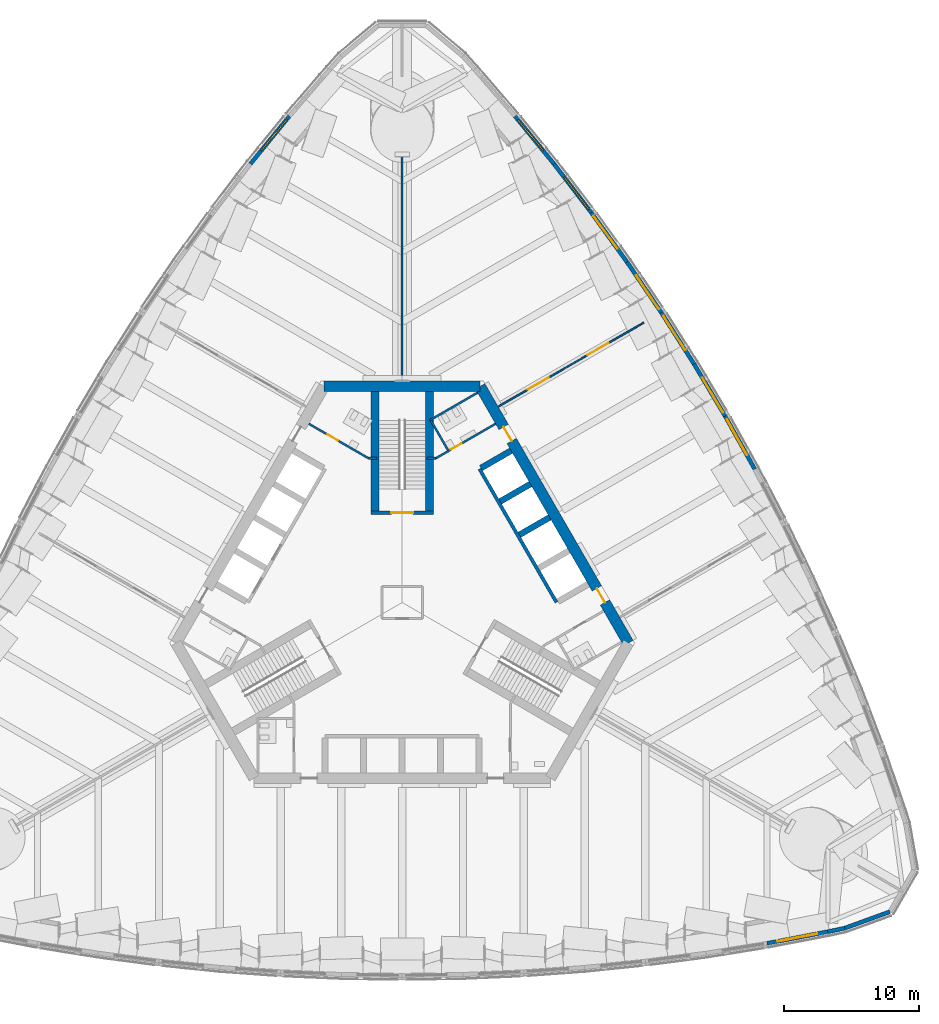
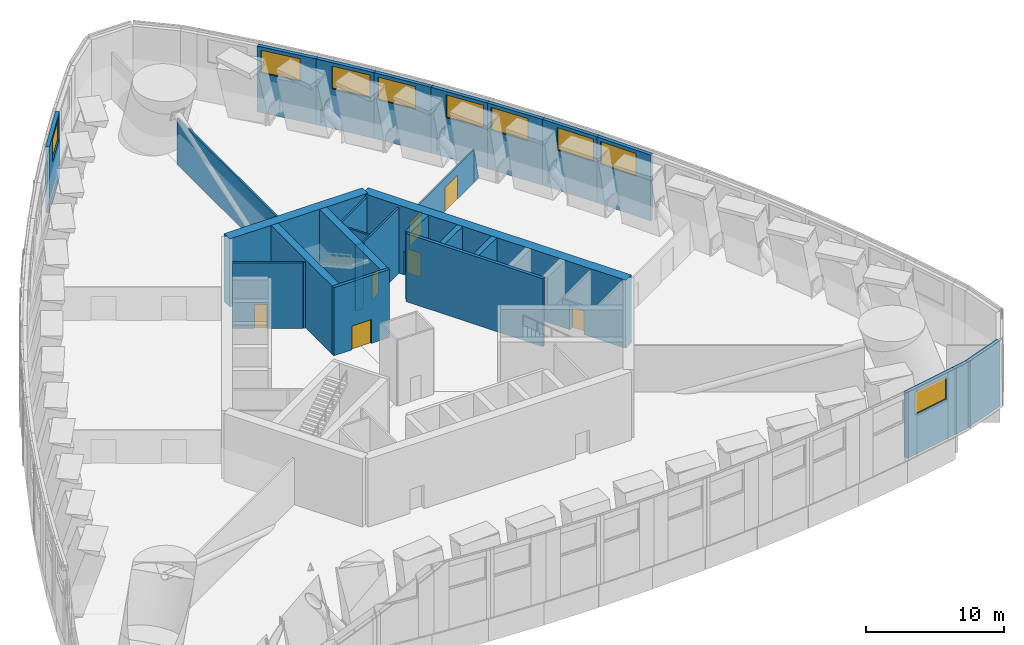
# One storey, part 10 of 28: 29 walls, 9 windows, 7 doors, 16 openings.
"""IFC4 building model written with IfcOpenShell, lengths in metres."""

from ifc_helpers import new_model, si_unit, direction, frame, frame_2d, origin, place, context, subcontext, project, spatial, polyline, rectangle, outline, extrude, material, layer, layer_set, type_object, element, fill, save


model = new_model("IFC4")

# Units and contexts
model_context = context("Model", 3, precision=1e-05, world=origin(), true_north=direction((0.0, 1.0)))
body_context = subcontext(model_context, "Body", "Model", "MODEL_VIEW")
ifc_project = project(units=[si_unit("LENGTHUNIT", "METRE"), si_unit("AREAUNIT", "SQUARE_METRE"), si_unit("VOLUMEUNIT", "CUBIC_METRE"), si_unit("PLANEANGLEUNIT", "RADIAN"), si_unit("MASSUNIT", "GRAM", prefix="KILO")], contexts=[model_context])

# Site, building, storey
site_placement = place(None, origin())
site = spatial("IfcSite", under=ifc_project, at=site_placement, CompositionType="ELEMENT")
building_placement = place(site_placement, origin())
building = spatial("IfcBuilding", under=site, at=building_placement, Name="Trefoil Bronze Tower", CompositionType="ELEMENT")
storey_placement = place(building_placement, frame((0.0, 0.0, 92.10009765625)))
storey = spatial("IfcBuildingStorey", under=building, at=storey_placement, Name="L21", CompositionType="ELEMENT", Elevation=92.10009765625)

# Wall, opening, window
ifc_material_1 = material(Name="Concrete B80", Category="concrete")
ifc_layer_1 = layer(ifc_material_1, 0.300048828125)
ifc_layer_set_1 = layer_set([ifc_layer_1], Name="Belt wall 300")
wall_type_1 = type_object("IfcWallType", Name="Belt wall 300", PredefinedType="SOLIDWALL", material=ifc_layer_set_1)
wall_1_placement = place(storey_placement, frame((27.0, -25.23046875, 0.0), z_axis=(0.0, 0.0, 1.0), x_axis=(0.982042151555, 0.188661635127, 0.0)))
wall_1 = element("IfcWall", 1, at=wall_1_placement, inside=storey, type_object=wall_type_1, Name="Belt wall T1.15", PredefinedType="SOLIDWALL", context=body_context, shape_type="SweptSolid", body=[
    extrude(rectangle(XDim=4.582275390625, YDim=0.300048828125, at=frame_2d((2.291015625, 0.0))), origin(), (0.0, 0.0, 1.0), 5.7998046875),
])
opening_1_placement = place(wall_1_placement, frame((0.791015625, 0.0, 3.5)))
opening_1 = element("IfcOpeningElement", 2, at=opening_1_placement, cuts=wall_1, Name="Opening LV1", PredefinedType="OPENING", context=body_context, shape_type="SweptSolid", body=[
    extrude(rectangle(XDim=3.0, YDim=2.0, at=frame_2d((1.5, 1.0))), frame((0.0, 0.159912109375, 0.0), z_axis=(0.0, -1.0, 0.0), x_axis=(1.0, 0.0, 0.0)), (0.0, 0.0, 1.0), 0.320068359375),
])
ifc_material_2 = material(Name="Bronze-finish aluminium louvre", Category="aluminium")
window_type = type_object("IfcWindowType", Name="Plant louvre 3000", PartitioningType="SINGLE_PANEL", PredefinedType="USERDEFINED", material=ifc_material_2)
window_1_placement = place(opening_1_placement, origin())
window_1 = element("IfcWindow", 3, at=window_1_placement, inside=storey, type_object=window_type, Name="Plant louvre L21 F1.15.1", ObjectType="LOUVRE", OverallHeight=2.0, OverallWidth=3.0, PartitioningType="SINGLE_PANEL", PredefinedType="USERDEFINED", context=body_context, shape_type="SweptSolid", body=[
    extrude(rectangle(XDim=3.0, YDim=2.0, at=frame_2d((1.5, 1.0))), frame((0.0, 0.030029296875, 0.0), z_axis=(0.0, -1.0, 0.0), x_axis=(1.0, 0.0, 0.0)), (0.0, 0.0, 1.0), 0.06005859375),
])
fill(opening_1, window_1)

# Walls
wall_2_placement = place(storey_placement, frame((31.5, -24.365966796875, 0.0), z_axis=(0.0, 0.0, 1.0), x_axis=(0.978306217861, 0.207164051162, 0.0)))
element("IfcWall", 4, at=wall_2_placement, inside=storey, type_object=wall_type_1, Name="Belt wall T1.16", PredefinedType="SOLIDWALL", context=body_context, shape_type="SweptSolid", body=[
    extrude(rectangle(XDim=1.29052734375, YDim=0.300048828125, at=frame_2d((0.645263671875, 0.0))), origin(), (0.0, 0.0, 1.0), 5.7998046875),
])
wall_3_placement = place(storey_placement, frame((32.762451171875, -24.0986328125, 0.0), z_axis=(0.0, 0.0, 1.0), x_axis=(0.939694873342, 0.342013954414, 0.0)))
element("IfcWall", 5, at=wall_3_placement, inside=storey, type_object=wall_type_1, Name="Belt wall T1.17", PredefinedType="SOLIDWALL", context=body_context, shape_type="SweptSolid", body=[
    extrude(rectangle(XDim=3.545654296875, YDim=0.300048828125, at=frame_2d((1.77294921875, 0.0))), origin(), (0.0, 0.0, 1.0), 5.7998046875),
])

# Wall, opening, window
wall_4_placement = place(storey_placement, frame((26.0947265625, 9.86962890625, 0.0), z_axis=(0.0, 0.0, 1.0), x_axis=(-0.487415216275, 0.87317031955, 0.0)))
wall_4 = element("IfcWall", 6, at=wall_4_placement, inside=storey, type_object=wall_type_1, Name="Belt wall T1.27", PredefinedType="SOLIDWALL", context=body_context, shape_type="SweptSolid", body=[
    extrude(rectangle(XDim=4.50048828125, YDim=0.300048828125, at=frame_2d((2.250244140625, 0.0))), origin(), (0.0, 0.0, 1.0), 5.7998046875),
])
opening_2_placement = place(wall_4_placement, frame((1.200439453125, 0.0, 3.5)))
opening_2 = element("IfcOpeningElement", 7, at=opening_2_placement, cuts=wall_4, Name="Opening LV1", PredefinedType="OPENING", context=body_context, shape_type="SweptSolid", body=[
    extrude(rectangle(XDim=3.0, YDim=2.0, at=frame_2d((1.5, 1.0))), frame((0.0, 0.159912109375, 0.0), z_axis=(0.0, -1.0, 0.0), x_axis=(1.0, 0.0, 0.0)), (0.0, 0.0, 1.0), 0.320068359375),
])
window_2_placement = place(opening_2_placement, origin())
window_2 = element("IfcWindow", 8, at=window_2_placement, inside=storey, type_object=window_type, Name="Plant louvre L21 F2.8.1", ObjectType="LOUVRE", OverallHeight=2.0, OverallWidth=3.0, PartitioningType="SINGLE_PANEL", PredefinedType="USERDEFINED", context=body_context, shape_type="SweptSolid", body=[
    extrude(rectangle(XDim=3.0, YDim=2.0, at=frame_2d((1.5, 1.0))), frame((0.0, 0.030029296875, 0.0), z_axis=(0.0, -1.0, 0.0), x_axis=(1.0, 0.0, 0.0)), (0.0, 0.0, 1.0), 0.06005859375),
])
fill(opening_2, window_2)

wall_5_placement = place(storey_placement, frame((23.901123046875, 13.79931640625, 0.0), z_axis=(0.0, 0.0, 1.0), x_axis=(-0.512483962191, 0.858696796604, 0.0)))
wall_5 = element("IfcWall", 9, at=wall_5_placement, inside=storey, type_object=wall_type_1, Name="Belt wall T1.28", PredefinedType="SOLIDWALL", context=body_context, shape_type="SweptSolid", body=[
    extrude(rectangle(XDim=4.50048828125, YDim=0.300048828125, at=frame_2d((2.250244140625, 0.0))), origin(), (0.0, 0.0, 1.0), 5.7998046875),
])
opening_3_placement = place(wall_5_placement, frame((0.300048828125, 0.0, 3.5)))
opening_3 = element("IfcOpeningElement", 10, at=opening_3_placement, cuts=wall_5, Name="Opening LV1", PredefinedType="OPENING", context=body_context, shape_type="SweptSolid", body=[
    extrude(rectangle(XDim=3.0, YDim=2.0, at=frame_2d((1.5, 1.0))), frame((0.0, 0.159912109375, 0.0), z_axis=(0.0, -1.0, 0.0), x_axis=(1.0, 0.0, 0.0)), (0.0, 0.0, 1.0), 0.320068359375),
])
window_3_placement = place(opening_3_placement, origin())
window_3 = element("IfcWindow", 11, at=window_3_placement, inside=storey, type_object=window_type, Name="Plant louvre L21 F2.9.1", ObjectType="LOUVRE", OverallHeight=2.0, OverallWidth=3.0, PartitioningType="SINGLE_PANEL", PredefinedType="USERDEFINED", context=body_context, shape_type="SweptSolid", body=[
    extrude(rectangle(XDim=3.0, YDim=2.0, at=frame_2d((1.5, 1.0))), frame((0.0, 0.030029296875, 0.0), z_axis=(0.0, -1.0, 0.0), x_axis=(1.0, 0.0, 0.0)), (0.0, 0.0, 1.0), 0.06005859375),
])
fill(opening_3, window_3)

wall_6_placement = place(storey_placement, frame((21.5947265625, 17.663818359375, 0.0), z_axis=(0.0, 0.0, 1.0), x_axis=(-0.537243691336, 0.843427066272, 0.0)))
wall_6 = element("IfcWall", 12, at=wall_6_placement, inside=storey, type_object=wall_type_1, Name="Belt wall T1.29", PredefinedType="SOLIDWALL", context=body_context, shape_type="SweptSolid", body=[
    extrude(rectangle(XDim=4.50439453125, YDim=0.300048828125, at=frame_2d((2.252197265625, 0.0))), origin(), (0.0, 0.0, 1.0), 5.7998046875),
])
opening_4_placement = place(wall_6_placement, frame((1.204345703125, 0.0, 3.5)))
opening_4 = element("IfcOpeningElement", 13, at=opening_4_placement, cuts=wall_6, Name="Opening LV1", PredefinedType="OPENING", context=body_context, shape_type="SweptSolid", body=[
    extrude(rectangle(XDim=3.0, YDim=2.0, at=frame_2d((1.5, 1.0))), frame((0.0, 0.159912109375, 0.0), z_axis=(0.0, -1.0, 0.0), x_axis=(1.0, 0.0, 0.0)), (0.0, 0.0, 1.0), 0.320068359375),
])
window_4_placement = place(opening_4_placement, origin())
window_4 = element("IfcWindow", 14, at=window_4_placement, inside=storey, type_object=window_type, Name="Plant louvre L21 F2.10.1", ObjectType="LOUVRE", OverallHeight=2.0, OverallWidth=3.0, PartitioningType="SINGLE_PANEL", PredefinedType="USERDEFINED", context=body_context, shape_type="SweptSolid", body=[
    extrude(rectangle(XDim=3.0, YDim=2.0, at=frame_2d((1.5, 1.0))), frame((0.0, 0.030029296875, 0.0), z_axis=(0.0, -1.0, 0.0), x_axis=(1.0, 0.0, 0.0)), (0.0, 0.0, 1.0), 0.06005859375),
])
fill(opening_4, window_4)

wall_7_placement = place(storey_placement, frame((19.1748046875, 21.462890625, 0.0), z_axis=(0.0, 0.0, 1.0), x_axis=(-0.561512004239, 0.827468591002, 0.0)))
wall_7 = element("IfcWall", 15, at=wall_7_placement, inside=storey, type_object=wall_type_1, Name="Belt wall T1.30", PredefinedType="SOLIDWALL", context=body_context, shape_type="SweptSolid", body=[
    extrude(rectangle(XDim=4.51171875, YDim=0.300048828125, at=frame_2d((2.255859375, 0.0))), origin(), (0.0, 0.0, 1.0), 5.7998046875),
])
opening_5_placement = place(wall_7_placement, frame((0.300048828125, 0.0, 3.5)))
opening_5 = element("IfcOpeningElement", 16, at=opening_5_placement, cuts=wall_7, Name="Opening LV1", PredefinedType="OPENING", context=body_context, shape_type="SweptSolid", body=[
    extrude(rectangle(XDim=3.0, YDim=2.0, at=frame_2d((1.5, 1.0))), frame((0.0, 0.159912109375, 0.0), z_axis=(0.0, -1.0, 0.0), x_axis=(1.0, 0.0, 0.0)), (0.0, 0.0, 1.0), 0.320068359375),
])
window_5_placement = place(opening_5_placement, origin())
window_5 = element("IfcWindow", 17, at=window_5_placement, inside=storey, type_object=window_type, Name="Plant louvre L21 F2.11.1", ObjectType="LOUVRE", OverallHeight=2.0, OverallWidth=3.0, PartitioningType="SINGLE_PANEL", PredefinedType="USERDEFINED", context=body_context, shape_type="SweptSolid", body=[
    extrude(rectangle(XDim=3.0, YDim=2.0, at=frame_2d((1.5, 1.0))), frame((0.0, 0.030029296875, 0.0), z_axis=(0.0, -1.0, 0.0), x_axis=(1.0, 0.0, 0.0)), (0.0, 0.0, 1.0), 0.06005859375),
])
fill(opening_5, window_5)

wall_8_placement = place(storey_placement, frame((16.641357421875, 25.1962890625, 0.0), z_axis=(0.0, 0.0, 1.0), x_axis=(-0.585376255171, 0.810761765183, 0.0)))
wall_8 = element("IfcWall", 18, at=wall_8_placement, inside=storey, type_object=wall_type_1, Name="Belt wall T1.31", PredefinedType="SOLIDWALL", context=body_context, shape_type="SweptSolid", body=[
    extrude(rectangle(XDim=4.5234375, YDim=0.300048828125, at=frame_2d((2.26171875, 0.0))), origin(), (0.0, 0.0, 1.0), 5.7998046875),
])
opening_6_placement = place(wall_8_placement, frame((1.223388671875, 0.0, 3.5)))
opening_6 = element("IfcOpeningElement", 19, at=opening_6_placement, cuts=wall_8, Name="Opening LV1", PredefinedType="OPENING", context=body_context, shape_type="SweptSolid", body=[
    extrude(rectangle(XDim=3.0, YDim=2.0, at=frame_2d((1.5, 1.0))), frame((0.0, 0.159912109375, 0.0), z_axis=(0.0, -1.0, 0.0), x_axis=(1.0, 0.0, 0.0)), (0.0, 0.0, 1.0), 0.320068359375),
])
window_6_placement = place(opening_6_placement, origin())
window_6 = element("IfcWindow", 20, at=window_6_placement, inside=storey, type_object=window_type, Name="Plant louvre L21 F2.12.1", ObjectType="LOUVRE", OverallHeight=2.0, OverallWidth=3.0, PartitioningType="SINGLE_PANEL", PredefinedType="USERDEFINED", context=body_context, shape_type="SweptSolid", body=[
    extrude(rectangle(XDim=3.0, YDim=2.0, at=frame_2d((1.5, 1.0))), frame((0.0, 0.030029296875, 0.0), z_axis=(0.0, -1.0, 0.0), x_axis=(1.0, 0.0, 0.0)), (0.0, 0.0, 1.0), 0.06005859375),
])
fill(opening_6, window_6)

wall_9_placement = place(storey_placement, frame((13.993408203125, 28.86376953125, 0.0), z_axis=(0.0, 0.0, 1.0), x_axis=(-0.608784932975, 0.79333530451, 0.0)))
wall_9 = element("IfcWall", 21, at=wall_9_placement, inside=storey, type_object=wall_type_1, Name="Belt wall T1.32", PredefinedType="SOLIDWALL", context=body_context, shape_type="SweptSolid", body=[
    extrude(rectangle(XDim=4.538818359375, YDim=0.300048828125, at=frame_2d((2.26953125, 0.0))), origin(), (0.0, 0.0, 1.0), 5.7998046875),
])
opening_7_placement = place(wall_9_placement, frame((0.300048828125, 0.0, 3.5)))
opening_7 = element("IfcOpeningElement", 22, at=opening_7_placement, cuts=wall_9, Name="Opening LV1", PredefinedType="OPENING", context=body_context, shape_type="SweptSolid", body=[
    extrude(rectangle(XDim=3.0, YDim=2.0, at=frame_2d((1.5, 1.0))), frame((0.0, 0.159912109375, 0.0), z_axis=(0.0, -1.0, 0.0), x_axis=(1.0, 0.0, 0.0)), (0.0, 0.0, 1.0), 0.320068359375),
])
window_7_placement = place(opening_7_placement, origin())
window_7 = element("IfcWindow", 23, at=window_7_placement, inside=storey, type_object=window_type, Name="Plant louvre L21 F2.13.1", ObjectType="LOUVRE", OverallHeight=2.0, OverallWidth=3.0, PartitioningType="SINGLE_PANEL", PredefinedType="USERDEFINED", context=body_context, shape_type="SweptSolid", body=[
    extrude(rectangle(XDim=3.0, YDim=2.0, at=frame_2d((1.5, 1.0))), frame((0.0, 0.030029296875, 0.0), z_axis=(0.0, -1.0, 0.0), x_axis=(1.0, 0.0, 0.0)), (0.0, 0.0, 1.0), 0.06005859375),
])
fill(opening_7, window_7)

wall_10_placement = place(storey_placement, frame((11.230224609375, 32.464599609375, 0.0), z_axis=(0.0, 0.0, 1.0), x_axis=(-0.631833879056, 0.775103831288, 0.0)))
wall_10 = element("IfcWall", 24, at=wall_10_placement, inside=storey, type_object=wall_type_1, Name="Belt wall T1.33", PredefinedType="SOLIDWALL", context=body_context, shape_type="SweptSolid", body=[
    extrude(rectangle(XDim=4.558349609375, YDim=0.300048828125, at=frame_2d((2.279296875, 0.0))), origin(), (0.0, 0.0, 1.0), 5.7998046875),
])
opening_8_placement = place(wall_10_placement, frame((1.258544921875, 0.0, 3.5)))
opening_8 = element("IfcOpeningElement", 25, at=opening_8_placement, cuts=wall_10, Name="Opening LV1", PredefinedType="OPENING", context=body_context, shape_type="SweptSolid", body=[
    extrude(rectangle(XDim=3.0, YDim=2.0, at=frame_2d((1.5, 1.0))), frame((0.0, 0.159912109375, 0.0), z_axis=(0.0, -1.0, 0.0), x_axis=(1.0, 0.0, 0.0)), (0.0, 0.0, 1.0), 0.320068359375),
])
window_8_placement = place(opening_8_placement, origin())
window_8 = element("IfcWindow", 26, at=window_8_placement, inside=storey, type_object=window_type, Name="Plant louvre L21 F2.14.1", ObjectType="LOUVRE", OverallHeight=2.0, OverallWidth=3.0, PartitioningType="SINGLE_PANEL", PredefinedType="USERDEFINED", context=body_context, shape_type="SweptSolid", body=[
    extrude(rectangle(XDim=3.0, YDim=2.0, at=frame_2d((1.5, 1.0))), frame((0.0, 0.030029296875, 0.0), z_axis=(0.0, -1.0, 0.0), x_axis=(1.0, 0.0, 0.0)), (0.0, 0.0, 1.0), 0.06005859375),
])
fill(opening_8, window_8)

wall_11_placement = place(storey_placement, frame((-8.35009765625, 35.997802734375, 0.0), z_axis=(0.0, 0.0, 1.0), x_axis=(-0.631833879056, -0.775103831288, 0.0)))
wall_11 = element("IfcWall", 27, at=wall_11_placement, inside=storey, type_object=wall_type_1, Name="Belt wall T1.41", PredefinedType="SOLIDWALL", context=body_context, shape_type="SweptSolid", body=[
    extrude(rectangle(XDim=4.558349609375, YDim=0.300048828125, at=frame_2d((2.279296875, 0.0))), origin(), (0.0, 0.0, 1.0), 5.7998046875),
])
opening_9_placement = place(wall_11_placement, frame((0.300048828125, 0.0, 3.5)))
opening_9 = element("IfcOpeningElement", 28, at=opening_9_placement, cuts=wall_11, Name="Opening LV1", PredefinedType="OPENING", context=body_context, shape_type="SweptSolid", body=[
    extrude(rectangle(XDim=3.0, YDim=2.0, at=frame_2d((1.5, 1.0))), frame((0.0, 0.159912109375, 0.0), z_axis=(0.0, -1.0, 0.0), x_axis=(1.0, 0.0, 0.0)), (0.0, 0.0, 1.0), 0.320068359375),
])
window_9_placement = place(opening_9_placement, origin())
window_9 = element("IfcWindow", 29, at=window_9_placement, inside=storey, type_object=window_type, Name="Plant louvre L21 F3.3.1", ObjectType="LOUVRE", OverallHeight=2.0, OverallWidth=3.0, PartitioningType="SINGLE_PANEL", PredefinedType="USERDEFINED", context=body_context, shape_type="SweptSolid", body=[
    extrude(rectangle(XDim=3.0, YDim=2.0, at=frame_2d((1.5, 1.0))), frame((0.0, 0.030029296875, 0.0), z_axis=(0.0, -1.0, 0.0), x_axis=(1.0, 0.0, 0.0)), (0.0, 0.0, 1.0), 0.06005859375),
])
fill(opening_9, window_9)

# Wall, openings, doors
ifc_material_3 = material(Name="Concrete B80", Category="concrete")
ifc_layer_2 = layer(ifc_material_3, 0.800048828125)
ifc_layer_set_2 = layer_set([ifc_layer_2], Name="Core wall 800")
wall_type_2 = type_object("IfcWallType", Name="Core wall 800", PredefinedType="SHEAR", material=ifc_layer_set_2)
wall_12_placement = place(storey_placement, frame((16.7431640625, -3.0, 0.0), z_axis=(0.0, 0.0, 1.0), x_axis=(-0.500002442456, 0.866023993627, 0.0)))
wall_12 = element("IfcWall", 30, at=wall_12_placement, inside=storey, type_object=wall_type_2, Name="Core long wall 2 L21", PredefinedType="SHEAR", context=body_context, shape_type="SweptSolid", body=[
    extrude(rectangle(XDim=21.939453125, YDim=0.800048828125, at=frame_2d((10.9697265625, 0.0))), origin(), (0.0, 0.0, 1.0), 6.0),
])
opening_10_placement = place(wall_12_placement, frame((17.269775390625, 0.0, 0.0)))
opening_10 = element("IfcOpeningElement", 31, at=opening_10_placement, cuts=wall_12, Name="Opening D2", PredefinedType="OPENING", context=body_context, shape_type="SweptSolid", body=[
    extrude(rectangle(XDim=1.199951171875, YDim=2.10009765625, at=frame_2d((0.60009765625, 1.050048828125))), frame((0.0, 0.409912109375, 0.0), z_axis=(0.0, -1.0, 0.0), x_axis=(1.0, 0.0, 0.0)), (0.0, 0.0, 1.0), 0.820068359375),
])
opening_11_placement = place(wall_12_placement, frame((3.4697265625, 0.0, 0.0)))
opening_11 = element("IfcOpeningElement", 32, at=opening_11_placement, cuts=wall_12, Name="Opening D2", PredefinedType="OPENING", context=body_context, shape_type="SweptSolid", body=[
    extrude(rectangle(XDim=1.199951171875, YDim=2.10009765625, at=frame_2d((0.60009765625, 1.050048828125))), frame((0.0, 0.409912109375, 0.0), z_axis=(0.0, -1.0, 0.0), x_axis=(1.0, 0.0, 0.0)), (0.0, 0.0, 1.0), 0.820068359375),
])
ifc_material_4 = material(Name="Steel door", Category="steel")
door_type_1 = type_object("IfcDoorType", Name="Lobby door 1200", OperationType="SINGLE_SWING_RIGHT", PredefinedType="DOOR", material=ifc_material_4)
door_1_placement = place(opening_10_placement, origin())
door_1 = element("IfcDoor", 33, at=door_1_placement, inside=storey, type_object=door_type_1, Name="Lobby door F2+ L21", OperationType="SINGLE_SWING_RIGHT", OverallHeight=2.10009765625, OverallWidth=1.199951171875, PredefinedType="DOOR", context=body_context, shape_type="SweptSolid", body=[
    extrude(rectangle(XDim=1.199951171875, YDim=2.10009765625, at=frame_2d((0.60009765625, 1.050048828125))), frame((0.0, 0.02490234375, 0.0), z_axis=(0.0, -1.0, 0.0), x_axis=(1.0, 0.0, 0.0)), (0.0, 0.0, 1.0), 0.050048828125),
])
fill(opening_10, door_1)
door_2_placement = place(opening_11_placement, origin())
door_2 = element("IfcDoor", 34, at=door_2_placement, inside=storey, type_object=door_type_1, Name="Lobby door F2- L21", OperationType="SINGLE_SWING_LEFT", OverallHeight=2.10009765625, OverallWidth=1.199951171875, PredefinedType="DOOR", context=body_context, shape_type="SweptSolid", body=[
    extrude(rectangle(XDim=1.199951171875, YDim=2.10009765625, at=frame_2d((0.60009765625, 1.050048828125))), frame((0.0, 0.02490234375, 0.0), z_axis=(0.0, -1.0, 0.0), x_axis=(1.0, 0.0, 0.0)), (0.0, 0.0, 1.0), 0.050048828125),
])
fill(opening_11, door_2)

# Walls
wall_13_placement = place(storey_placement, frame((5.7734375, 16.0, 0.0), z_axis=(0.0, 0.0, 1.0), x_axis=(-1.0, 0.0, 0.0)))
element("IfcWall", 35, at=wall_13_placement, inside=storey, type_object=wall_type_2, Name="Core short wall 2 L21", PredefinedType="SHEAR", context=body_context, shape_type="SweptSolid", body=[
    extrude(rectangle(XDim=11.546875, YDim=0.800048828125, at=frame_2d((5.7734375, 0.0))), origin(), (0.0, 0.0, 1.0), 6.0),
])
ifc_material_5 = material(Name="Glazed partition", Category="glass")
ifc_layer_3 = layer(ifc_material_5, 0.1201171875)
ifc_layer_set_3 = layer_set([ifc_layer_3], Name="Glazed partition 120")
wall_type_3 = type_object("IfcWallType", Name="Glazed partition 120", PredefinedType="PARTITIONING", material=ifc_layer_set_3)
wall_14_placement = place(storey_placement, frame((17.31640625, 20.389892578125, 0.0), z_axis=(0.0, 0.0, 1.0), x_axis=(0.865911816314, 0.500196687681, 0.0)))
element("IfcWall", 36, at=wall_14_placement, inside=storey, type_object=wall_type_3, Name="Partition F2 L21", PredefinedType="PARTITIONING", context=body_context, shape_type="SweptSolid", body=[
    extrude(outline(polyline([(0.0, 0.0), (0.653564453125, 0.0), (0.6533203125, 0.0498046875), (0.0, 2.89990234375), (0.0, 0.0)])), frame((0.0, 0.06005859375, 0.0), z_axis=(0.0, -1.0, 0.0), x_axis=(1.0, 0.0, 0.0)), (0.0, 0.0, 1.0), 0.1201171875),
])

# Wall, openings, doors
wall_15_placement = place(storey_placement, frame((7.1220703125, 14.504150390625, 0.0), z_axis=(0.0, 0.0, 1.0), x_axis=(0.866023947468, 0.500002522405, 0.0)))
wall_15 = element("IfcWall", 37, at=wall_15_placement, inside=storey, type_object=wall_type_3, Name="Partition F2 L21", PredefinedType="PARTITIONING", context=body_context, shape_type="SweptSolid", body=[
    extrude(rectangle(XDim=11.771484375, YDim=0.1201171875, at=frame_2d((5.8857421875, 0.0))), origin(), (0.0, 0.0, 1.0), 2.89990234375),
])
opening_12_placement = place(wall_15_placement, frame((2.5, 0.0, 0.0)))
opening_12 = element("IfcOpeningElement", 38, at=opening_12_placement, cuts=wall_15, Name="Opening D10", PredefinedType="OPENING", context=body_context, shape_type="SweptSolid", body=[
    extrude(rectangle(XDim=1.800048828125, YDim=2.10009765625, at=frame_2d((0.89990234375, 1.050048828125))), frame((0.0, 0.070068359375, 0.0), z_axis=(0.0, -1.0, 0.0), x_axis=(1.0, 0.0, 0.0)), (0.0, 0.0, 1.0), 0.14013671875),
])
opening_13_placement = place(wall_15_placement, frame((7.60009765625, 0.0, 0.0)))
opening_13 = element("IfcOpeningElement", 39, at=opening_13_placement, cuts=wall_15, Name="Opening D10", PredefinedType="OPENING", context=body_context, shape_type="SweptSolid", body=[
    extrude(rectangle(XDim=1.800048828125, YDim=2.10009765625, at=frame_2d((0.89990234375, 1.050048828125))), frame((0.0, 0.070068359375, 0.0), z_axis=(0.0, -1.0, 0.0), x_axis=(1.0, 0.0, 0.0)), (0.0, 0.0, 1.0), 0.14013671875),
])
ifc_material_6 = material(Name="Timber door", Category="wood")
door_type_2 = type_object("IfcDoorType", Name="Double door 1800", OperationType="DOUBLE_DOOR_SINGLE_SWING", PredefinedType="DOOR", material=ifc_material_6)
door_3_placement = place(opening_12_placement, frame((1.800048828125, 0.0, 0.0), z_axis=(0.0, 0.0, 1.0), x_axis=(-1.0, 0.0, 0.0)))
door_3 = element("IfcDoor", 40, at=door_3_placement, inside=storey, type_object=door_type_2, Name="Pump plant room door F2 L21", OperationType="DOUBLE_DOOR_SINGLE_SWING", OverallHeight=2.10009765625, OverallWidth=1.800048828125, PredefinedType="DOOR", context=body_context, shape_type="SweptSolid", body=[
    extrude(rectangle(XDim=1.800048828125, YDim=2.10009765625, at=frame_2d((0.89990234375, 1.050048828125))), frame((0.0, 0.02490234375, 0.0), z_axis=(0.0, -1.0, 0.0), x_axis=(1.0, 0.0, 0.0)), (0.0, 0.0, 1.0), 0.050048828125),
])
fill(opening_12, door_3)
door_4_placement = place(opening_13_placement, frame((1.800048828125, 0.0, 0.0), z_axis=(0.0, 0.0, 1.0), x_axis=(-1.0, 0.0, 0.0)))
door_4 = element("IfcDoor", 41, at=door_4_placement, inside=storey, type_object=door_type_2, Name="Pump plant room door F2 L21", OperationType="DOUBLE_DOOR_SINGLE_SWING", OverallHeight=2.10009765625, OverallWidth=1.800048828125, PredefinedType="DOOR", context=body_context, shape_type="SweptSolid", body=[
    extrude(rectangle(XDim=1.800048828125, YDim=2.10009765625, at=frame_2d((0.89990234375, 1.050048828125))), frame((0.0, 0.02490234375, 0.0), z_axis=(0.0, -1.0, 0.0), x_axis=(1.0, 0.0, 0.0)), (0.0, 0.0, 1.0), 0.050048828125),
])
fill(opening_13, door_4)

# Walls
ifc_material_7 = material(Name="Concrete B80", Category="concrete")
ifc_layer_4 = layer(ifc_material_7, 0.449951171875)
ifc_layer_set_4 = layer_set([ifc_layer_4], Name="Outrigger shaft wall 450")
wall_type_4 = type_object("IfcWallType", Name="Outrigger shaft wall 450", PredefinedType="SHEAR", material=ifc_layer_set_4)
for number, where, z_axis, x_axis, name in (
    (42, (8.681884765625, 5.012451171875, 0.0), (0.0, 0.0, 1.0), (0.866005588531, 0.500034319456, 0.0), "Lift shaft side wall B2 L21"),
    (43, (7.2568359375, 7.480712890625, 0.0), (0.0, 0.0, 1.0), (0.866046643894, 0.499963209246, 0.0), "Lift shaft side wall B3 L21"),
):
    element("IfcWall", number, at=place(storey_placement, frame(where, z_axis=z_axis, x_axis=x_axis)), inside=storey, type_object=wall_type_4, Name=name, PredefinedType="SHEAR", context=body_context, shape_type="SweptSolid", body=[
        extrude(rectangle(XDim=2.574951171875, YDim=0.449951171875, at=frame_2d((1.28759765625, 0.0))), origin(), (0.0, 0.0, 1.0), 6.0),
    ])
wall_16_placement = place(storey_placement, frame((5.831787109375, 9.94873046875, 0.0), z_axis=(0.0, 0.0, 1.0), x_axis=(0.866029291668, 0.499993265928, 0.0)))
element("IfcWall", 44, at=wall_16_placement, inside=storey, type_object=wall_type_4, Name="Lift shaft side wall B4 L21", PredefinedType="SHEAR", context=body_context, shape_type="SweptSolid", body=[
    extrude(rectangle(XDim=2.5751953125, YDim=0.449951171875, at=frame_2d((1.28759765625, 0.0))), origin(), (0.0, 0.0, 1.0), 6.0),
])

# Wall, opening, door
ifc_material_8 = material(Name="Gypsum board on steel studs", Category="steel")
ifc_layer_5 = layer(ifc_material_8, 0.14990234375)
ifc_layer_set_5 = layer_set([ifc_layer_5], Name="Partition 150")
wall_type_5 = type_object("IfcWallType", Name="Partition 150", PredefinedType="PARTITIONING", material=ifc_layer_set_5)
wall_17_placement = place(storey_placement, frame((2.4951171875, 10.67822265625, 0.0), z_axis=(0.0, 0.0, 1.0), x_axis=(0.86602216432, 0.500005610874, 0.0)))
wall_17 = element("IfcWall", 45, at=wall_17_placement, inside=storey, type_object=wall_type_5, Name="Passage wall F2+ L21", PredefinedType="PARTITIONING", context=body_context, shape_type="SweptSolid", body=[
    extrude(rectangle(XDim=5.10009765625, YDim=0.14990234375, at=frame_2d((2.550048828125, 0.0))), origin(), (0.0, 0.0, 1.0), 5.7998046875),
])
opening_14_placement = place(wall_17_placement, frame((1.300048828125, 0.0, 0.0)))
opening_14 = element("IfcOpeningElement", 46, at=opening_14_placement, cuts=wall_17, Name="Opening D3", PredefinedType="OPENING", context=body_context, shape_type="SweptSolid", body=[
    extrude(rectangle(XDim=0.89990234375, YDim=2.10009765625, at=frame_2d((0.449951171875, 1.050048828125))), frame((0.0, 0.0849609375, 0.0), z_axis=(0.0, -1.0, 0.0), x_axis=(1.0, 0.0, 0.0)), (0.0, 0.0, 1.0), 0.169921875),
])
ifc_material_9 = material(Name="Timber door", Category="wood")
door_type_3 = type_object("IfcDoorType", Name="WC door 900", OperationType="SINGLE_SWING_LEFT", PredefinedType="DOOR", material=ifc_material_9)
door_5_placement = place(opening_14_placement, origin())
door_5 = element("IfcDoor", 47, at=door_5_placement, inside=storey, type_object=door_type_3, Name="WC (men) door L21", OperationType="SINGLE_SWING_LEFT", OverallHeight=2.10009765625, OverallWidth=0.89990234375, PredefinedType="DOOR", context=body_context, shape_type="SweptSolid", body=[
    extrude(rectangle(XDim=0.89990234375, YDim=2.10009765625, at=frame_2d((0.449951171875, 1.050048828125))), frame((0.0, 0.02490234375, 0.0), z_axis=(0.0, -1.0, 0.0), x_axis=(1.0, 0.0, 0.0)), (0.0, 0.0, 1.0), 0.050048828125),
])
fill(opening_14, door_5)

wall_18_placement = place(storey_placement, frame((-2.4951171875, 10.67822265625, 0.0), z_axis=(0.0, 0.0, 1.0), x_axis=(-0.86602216432, 0.500005610874, 0.0)))
wall_18 = element("IfcWall", 48, at=wall_18_placement, inside=storey, type_object=wall_type_5, Name="Passage wall F3- L21", PredefinedType="PARTITIONING", context=body_context, shape_type="SweptSolid", body=[
    extrude(rectangle(XDim=5.10009765625, YDim=0.14990234375, at=frame_2d((2.550048828125, 0.0))), origin(), (0.0, 0.0, 1.0), 5.7998046875),
])
opening_15_placement = place(wall_18_placement, frame((2.60009765625, 0.0, 0.0)))
opening_15 = element("IfcOpeningElement", 49, at=opening_15_placement, cuts=wall_18, Name="Opening D3", PredefinedType="OPENING", context=body_context, shape_type="SweptSolid", body=[
    extrude(rectangle(XDim=0.89990234375, YDim=2.10009765625, at=frame_2d((0.449951171875, 1.050048828125))), frame((0.0, 0.0849609375, 0.0), z_axis=(0.0, -1.0, 0.0), x_axis=(1.0, 0.0, 0.0)), (0.0, 0.0, 1.0), 0.169921875),
])
door_6_placement = place(opening_15_placement, frame((0.89990234375, 0.0, 0.0), z_axis=(0.0, 0.0, 1.0), x_axis=(-1.0, 0.0, 0.0)))
door_6 = element("IfcDoor", 50, at=door_6_placement, inside=storey, type_object=door_type_3, Name="WC (women) door L21", OperationType="SINGLE_SWING_LEFT", OverallHeight=2.10009765625, OverallWidth=0.89990234375, PredefinedType="DOOR", context=body_context, shape_type="SweptSolid", body=[
    extrude(rectangle(XDim=0.89990234375, YDim=2.10009765625, at=frame_2d((0.449951171875, 1.050048828125))), frame((0.0, 0.02490234375, 0.0), z_axis=(0.0, -1.0, 0.0), x_axis=(1.0, 0.0, 0.0)), (0.0, 0.0, 1.0), 0.050048828125),
])
fill(opening_15, door_6)

# Walls
for number, where, z_axis, x_axis, name in (
    (51, (2.4951171875, 10.67822265625, 0.0), (0.0, 0.0, 1.0), (-1.0, 0.0, 0.0), "WC wall ST2-1 L21"),
    (52, (-2.4951171875, 10.67822265625, 0.0), (0.0, 0.0, 1.0), (1.0, 0.0, 0.0), "WC wall ST2+1 L21"),
):
    element("IfcWall", number, at=place(storey_placement, frame(where, z_axis=z_axis, x_axis=x_axis)), inside=storey, type_object=wall_type_5, Name=name, PredefinedType="PARTITIONING", context=body_context, shape_type="SweptSolid", body=[
        extrude(rectangle(XDim=0.64501953125, YDim=0.14990234375, at=frame_2d((0.322509765625, 0.0))), origin(), (0.0, 0.0, 1.0), 5.7998046875),
    ])
wall_19_placement = place(storey_placement, frame((2.03125, 13.48193359375, 0.0), z_axis=(0.0, 0.0, 1.0), x_axis=(0.866050731258, 0.499956128963, 0.0)))
element("IfcWall", 53, at=wall_19_placement, inside=storey, type_object=wall_type_5, Name="WC partition WC (men) L21", PredefinedType="PARTITIONING", context=body_context, shape_type="SweptSolid", body=[
    extrude(rectangle(XDim=4.099853515625, YDim=0.14990234375, at=frame_2d((2.0498046875, 0.0))), origin(), (0.0, 0.0, 1.0), 5.7998046875),
])
wall_20_placement = place(storey_placement, frame((3.388671875, 11.28076171875, 0.0), z_axis=(0.0, 0.0, 1.0), x_axis=(-0.499989096993, 0.866031698547, 0.0)))
element("IfcWall", 54, at=wall_20_placement, inside=storey, type_object=wall_type_5, Name="WC partition WC (men) L21", PredefinedType="PARTITIONING", context=body_context, shape_type="SweptSolid", body=[
    extrude(rectangle(XDim=2.509765625, YDim=0.14990234375, at=frame_2d((1.2548828125, 0.0))), origin(), (0.0, 0.0, 1.0), 5.7998046875),
])
ifc_material_10 = material(Name="Gypsum board on steel studs", Category="steel")
ifc_layer_6 = layer(ifc_material_10, 0.14990234375)
ifc_layer_set_6 = layer_set([ifc_layer_6], Name="Party wall 150")
wall_type_6 = type_object("IfcWallType", Name="Party wall 150", PredefinedType="PARTITIONING", material=ifc_layer_set_6)
wall_21_placement = place(storey_placement, frame((0.0, 16.39990234375, 0.0), z_axis=(0.0, 0.0, 1.0), x_axis=(0.0, 1.0, 0.0)))
element("IfcWall", 55, at=wall_21_placement, inside=storey, type_object=wall_type_6, Name="Party wall K2 L21", PredefinedType="PARTITIONING", context=body_context, shape_type="SweptSolid", body=[
    extrude(rectangle(XDim=16.650146484375, YDim=0.14990234375, at=frame_2d((8.3251953125, 0.0))), origin(), (0.0, 0.0, 1.0), 4.099853515625),
])
ifc_material_11 = material(Name="Concrete B80", Category="concrete")
ifc_layer_7 = layer(ifc_material_11, 0.25)
ifc_layer_set_7 = layer_set([ifc_layer_7], Name="Shaft wall 250")
wall_type_7 = type_object("IfcWallType", Name="Shaft wall 250", PredefinedType="SHEAR", material=ifc_layer_set_7)
wall_22_placement = place(storey_placement, frame((11.423583984375, 0.013671875, 0.0), z_axis=(0.0, 0.0, 1.0), x_axis=(-0.500001763848, 0.866024385424, 0.0)))
element("IfcWall", 56, at=wall_22_placement, inside=storey, type_object=wall_type_7, Name="Lift shaft front wall B L21", PredefinedType="SHEAR", context=body_context, shape_type="SweptSolid", body=[
    extrude(rectangle(XDim=11.39990234375, YDim=0.25, at=frame_2d((5.699951171875, 0.0))), origin(), (0.0, 0.0, 1.0), 6.0),
])

# Wall, opening, door
wall_23_placement = place(storey_placement, frame((2.324951171875, 6.64990234375, 0.0), z_axis=(0.0, 0.0, 1.0), x_axis=(-1.0, 0.0, 0.0)))
wall_23 = element("IfcWall", 57, at=wall_23_placement, inside=storey, type_object=wall_type_7, Name="Stair end wall ST2 L21", PredefinedType="SHEAR", context=body_context, shape_type="SweptSolid", body=[
    extrude(rectangle(XDim=4.64990234375, YDim=0.25, at=frame_2d((2.324951171875, 0.0))), origin(), (0.0, 0.0, 1.0), 6.0),
])
opening_16_placement = place(wall_23_placement, frame((1.52490234375, 0.0, 0.0)))
opening_16 = element("IfcOpeningElement", 58, at=opening_16_placement, cuts=wall_23, Name="Opening D1", PredefinedType="OPENING", context=body_context, shape_type="SweptSolid", body=[
    extrude(rectangle(XDim=1.60009765625, YDim=2.10009765625, at=frame_2d((0.800048828125, 1.050048828125))), frame((0.0, 0.135009765625, 0.0), z_axis=(0.0, -1.0, 0.0), x_axis=(1.0, 0.0, 0.0)), (0.0, 0.0, 1.0), 0.27001953125),
])
ifc_material_12 = material(Name="Steel door", Category="steel")
door_type_4 = type_object("IfcDoorType", Name="Stair door 1600", OperationType="DOUBLE_DOOR_SINGLE_SWING", PredefinedType="DOOR", material=ifc_material_12)
door_7_placement = place(opening_16_placement, frame((1.60009765625, 0.0, 0.0), z_axis=(0.0, 0.0, 1.0), x_axis=(-1.0, 0.0, 0.0)))
door_7 = element("IfcDoor", 59, at=door_7_placement, inside=storey, type_object=door_type_4, Name="Stair door ST2 L21", OperationType="DOUBLE_DOOR_SINGLE_SWING", OverallHeight=2.10009765625, OverallWidth=1.60009765625, PredefinedType="DOOR", context=body_context, shape_type="SweptSolid", body=[
    extrude(rectangle(XDim=1.60009765625, YDim=2.10009765625, at=frame_2d((0.800048828125, 1.050048828125))), frame((0.0, 0.02490234375, 0.0), z_axis=(0.0, -1.0, 0.0), x_axis=(1.0, 0.0, 0.0)), (0.0, 0.0, 1.0), 0.050048828125),
])
fill(opening_16, door_7)

# Walls
ifc_material_13 = material(Name="Concrete B80", Category="concrete")
ifc_layer_8 = layer(ifc_material_13, 0.60009765625)
ifc_layer_set_8 = layer_set([ifc_layer_8], Name="Stair wall 600")
wall_type_8 = type_object("IfcWallType", Name="Stair wall 600", PredefinedType="SHEAR", material=ifc_layer_set_8)
for number, where, z_axis, x_axis, name in (
    (60, (2.02490234375, 6.52490234375, 0.0), (0.0, 0.0, 1.0), (0.0, 1.0, 0.0), "Stair wall ST2 L21"),
    (61, (-2.02490234375, 6.52490234375, 0.0), (0.0, 0.0, 1.0), (0.0, 1.0, 0.0), "Stair wall ST2 L21"),
):
    element("IfcWall", number, at=place(storey_placement, frame(where, z_axis=z_axis, x_axis=x_axis)), inside=storey, type_object=wall_type_8, Name=name, PredefinedType="SHEAR", context=body_context, shape_type="SweptSolid", body=[
        extrude(rectangle(XDim=9.0751953125, YDim=0.60009765625, at=frame_2d((4.53759765625, 0.0))), origin(), (0.0, 0.0, 1.0), 6.0),
    ])

save(model, "model.ifc")
